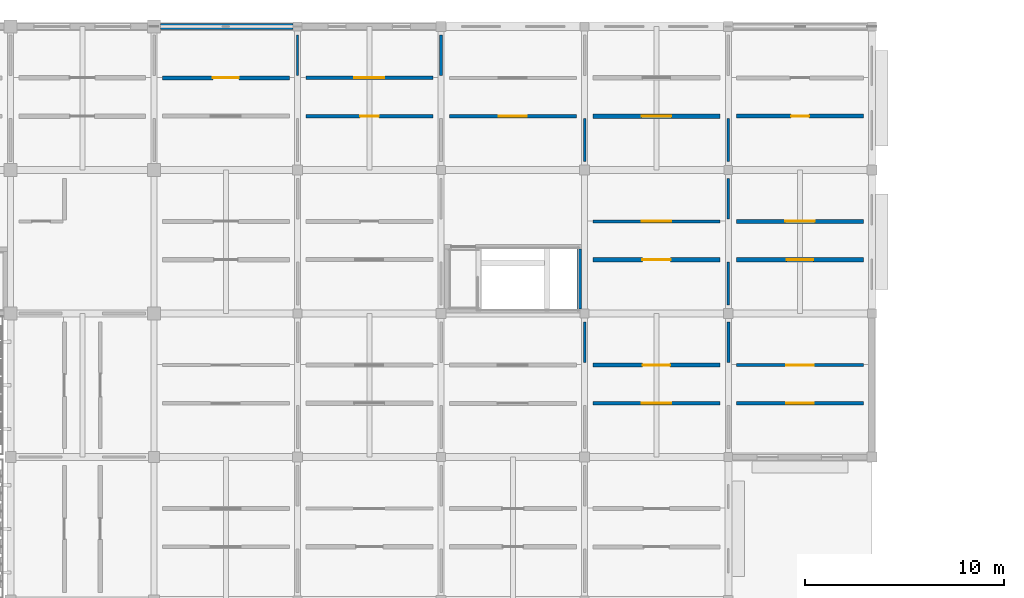
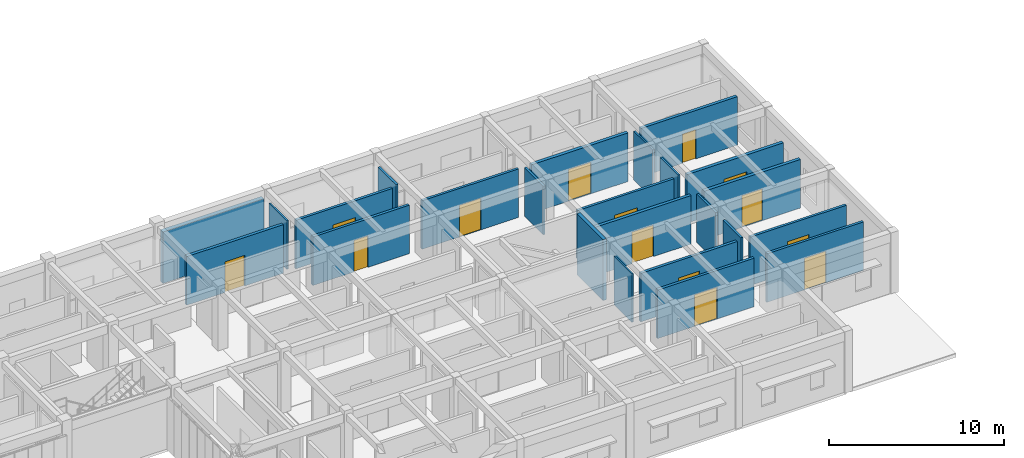
# One storey, part 76 of 91: 24 walls, 14 doors, 14 openings.
"""IFC4 building model written with IfcOpenShell, lengths in metres."""

from ifc_helpers import new_model, si_unit, direction, frame, frame_2d, origin, place, context, subcontext, project, spatial, rectangle, extrude, material, layer, layer_set, type_object, element, fill, save


model = new_model("IFC4")

# Units and contexts
model_context = context("Model", 3, precision=1e-05, world=origin(), true_north=direction((0.0, 1.0)))
body_context = subcontext(model_context, "Body", "Model", "MODEL_VIEW")
ifc_project = project(units=[si_unit("LENGTHUNIT", "METRE"), si_unit("AREAUNIT", "SQUARE_METRE"), si_unit("VOLUMEUNIT", "CUBIC_METRE"), si_unit("PLANEANGLEUNIT", "RADIAN"), si_unit("MASSUNIT", "GRAM", prefix="KILO")], contexts=[model_context])

# Site, building, storey
site_placement = place(None, origin())
site = spatial("IfcSite", under=ifc_project, at=site_placement, CompositionType="ELEMENT")
building_placement = place(site_placement, origin())
building = spatial("IfcBuilding", under=site, at=building_placement, Name="Aldebral Square Health Centre", CompositionType="ELEMENT")
storey_placement = place(building_placement, frame((0.0, 0.0, 9.0)))
storey = spatial("IfcBuildingStorey", under=building, at=storey_placement, Name="L02", CompositionType="ELEMENT", Elevation=9.0)

# Wall
ifc_material_1 = material(Name="Ochre mineral-rendered concrete C35/45 court wall", Category="concrete")
ifc_layer_1 = layer(ifc_material_1, 0.280029296875, Name="Ochre mineral-rendered concrete C35/45 court wall", Category="concrete")
ifc_layer_set_1 = layer_set([ifc_layer_1], Name="Ochre mineral-rendered concrete C35/45 court wall")
wall_type_1 = type_object("IfcWallType", Name="EW-OCH-280", PredefinedType="STANDARD", material=ifc_layer_set_1)
wall_1_placement = place(storey_placement, frame((35.77490234375, 115.199951171875, 0.0), z_axis=(0.0, 0.0, 1.0), x_axis=(-1.0, 0.0, 0.0)))
element("IfcWall", 1, at=wall_1_placement, inside=storey, type_object=wall_type_1, Name="L02 V2 exterior wall L02-V2-04-15-N", PredefinedType="STANDARD", context=body_context, shape_type="SweptSolid", body=[
    extrude(rectangle(XDim=6.64990234375, YDim=0.280029296875, at=frame_2d((3.324951171875, 0.0))), origin(), (0.0, 0.0, 1.0), 3.590087890625),
])

# Wall, opening, door
ifc_material_2 = material(Name="Concrete C35/45 compartment wall", Category="concrete")
ifc_layer_2 = layer(ifc_material_2, 0.199951171875, Name="Concrete C35/45 compartment wall", Category="concrete")
ifc_layer_set_2 = layer_set([ifc_layer_2], Name="Concrete C35/45 compartment wall")
wall_type_2 = type_object("IfcWallType", Name="IW-CMP-200", PredefinedType="SOLIDWALL", material=ifc_layer_set_2)
wall_2_placement = place(storey_placement, frame((29.219970703125, 112.6201171875, 0.0), z_axis=(0.0, 0.0, 1.0), x_axis=(1.0, 0.0, 0.0)))
wall_2 = element("IfcWall", 2, at=wall_2_placement, inside=storey, type_object=wall_type_2, Name="L02 Surgical HVAC Plant Room 5.16N corridor wall", PredefinedType="SOLIDWALL", context=body_context, shape_type="SweptSolid", body=[
    extrude(rectangle(XDim=6.360107421875, YDim=0.199951171875, at=frame_2d((3.18017578125, 0.0))), origin(), (0.0, 0.0, 1.0), 3.3798828125),
])
opening_1_placement = place(wall_2_placement, frame((2.530029296875, 0.0, 0.0)))
opening_1 = element("IfcOpeningElement", 3, at=opening_1_placement, cuts=wall_2, Name="Opening D-0402", PredefinedType="OPENING", context=body_context, shape_type="SweptSolid", body=[
    extrude(rectangle(XDim=1.300048828125, YDim=2.139892578125, at=frame_2d((0.64990234375, 1.06982421875))), frame((0.0, 0.10986328125, 0.0), z_axis=(0.0, -1.0, 0.0), x_axis=(1.0, 0.0, 0.0)), (0.0, 0.0, 1.0), 0.219970703125),
])
ifc_material_3 = material(Name="Clinical suite fire door")
door_type_1 = type_object("IfcDoorType", Name="ID-EXD-42", OperationType="NOTDEFINED", PredefinedType="DOOR", material=ifc_material_3)
door_1_placement = place(opening_1_placement, origin())
door_1 = element("IfcDoor", 4, at=door_1_placement, inside=storey, type_object=door_type_1, Name="L02 Surgical HVAC Plant Room 5.16N door", OperationType="SINGLE_SWING_LEFT", OverallHeight=2.139892578125, OverallWidth=1.300048828125, PredefinedType="DOOR", context=body_context, shape_type="SweptSolid", body=[
    extrude(rectangle(XDim=1.300048828125, YDim=2.139892578125, at=frame_2d((0.64990234375, 1.06982421875))), frame((0.0, 0.02490234375, 0.0), z_axis=(0.0, -1.0, 0.0), x_axis=(1.0, 0.0, 0.0)), (0.0, 0.0, 1.0), 0.050048828125),
])
fill(opening_1, door_1)

wall_3_placement = place(storey_placement, frame((58.02001953125, 110.699951171875, 0.0), z_axis=(0.0, 0.0, 1.0), x_axis=(1.0, 0.0, 0.0)))
wall_3 = element("IfcWall", 5, at=wall_3_placement, inside=storey, type_object=wall_type_2, Name="L02 Surgical HVAC Plant Room 9.16S corridor wall", PredefinedType="SOLIDWALL", context=body_context, shape_type="SweptSolid", body=[
    extrude(rectangle(XDim=6.35986328125, YDim=0.199951171875, at=frame_2d((3.179931640625, 0.0))), origin(), (0.0, 0.0, 1.0), 3.3798828125),
])
opening_2_placement = place(wall_3_placement, frame((2.72998046875, 0.0, 0.0)))
opening_2 = element("IfcOpeningElement", 6, at=opening_2_placement, cuts=wall_3, Name="Opening D-0429", PredefinedType="OPENING", context=body_context, shape_type="SweptSolid", body=[
    extrude(rectangle(XDim=0.89990234375, YDim=2.0400390625, at=frame_2d((0.449951171875, 1.02001953125))), frame((0.0, 0.10986328125, 0.0), z_axis=(0.0, -1.0, 0.0), x_axis=(1.0, 0.0, 0.0)), (0.0, 0.0, 1.0), 0.219970703125),
])
door_type_2 = type_object("IfcDoorType", Name="ID-EXD-00", OperationType="NOTDEFINED", PredefinedType="DOOR", material=ifc_material_3)
door_2_placement = place(opening_2_placement, origin())
door_2 = element("IfcDoor", 7, at=door_2_placement, inside=storey, type_object=door_type_2, Name="L02 Surgical HVAC Plant Room 9.16S door", OperationType="SINGLE_SWING_RIGHT", OverallHeight=2.0400390625, OverallWidth=0.89990234375, PredefinedType="DOOR", context=body_context, shape_type="SweptSolid", body=[
    extrude(rectangle(XDim=0.89990234375, YDim=2.0400390625, at=frame_2d((0.449951171875, 1.02001953125))), frame((0.0, 0.02490234375, 0.0), z_axis=(0.0, -1.0, 0.0), x_axis=(1.0, 0.0, 0.0)), (0.0, 0.0, 1.0), 0.050048828125),
])
fill(opening_2, door_2)

ifc_layer_3 = layer(ifc_material_2, 0.219970703125, Name="Concrete C35/45 compartment wall", Category="concrete")
ifc_layer_set_3 = layer_set([ifc_layer_3], Name="Concrete C35/45 compartment wall")
wall_type_3 = type_object("IfcWallType", Name="IW-CMP-220", PredefinedType="SOLIDWALL", material=ifc_layer_set_3)
wall_4_placement = place(storey_placement, frame((50.820068359375, 110.699951171875, 0.0), z_axis=(0.0, 0.0, 1.0), x_axis=(1.0, 0.0, 0.0)))
wall_4 = element("IfcWall", 8, at=wall_4_placement, inside=storey, type_object=wall_type_3, Name="L02 Ambulatory Procedure Room 8.16S corridor wall", PredefinedType="SOLIDWALL", context=body_context, shape_type="SweptSolid", body=[
    extrude(rectangle(XDim=6.35986328125, YDim=0.219970703125, at=frame_2d((3.179931640625, 0.0))), origin(), (0.0, 0.0, 1.0), 3.3798828125),
])
opening_3_placement = place(wall_4_placement, frame((2.429931640625, 0.0, 0.0)))
opening_3 = element("IfcOpeningElement", 9, at=opening_3_placement, cuts=wall_4, Name="Opening D-0423", PredefinedType="OPENING", context=body_context, shape_type="SweptSolid", body=[
    extrude(rectangle(XDim=1.5, YDim=2.199951171875, at=frame_2d((0.75, 1.10009765625))), frame((0.0, 0.1201171875, 0.0), z_axis=(0.0, -1.0, 0.0), x_axis=(1.0, 0.0, 0.0)), (0.0, 0.0, 1.0), 0.239990234375),
])
ifc_material_4 = material(Name="Surgical suite double-leaf fire door")
door_type_3 = type_object("IfcDoorType", Name="ID-OR-150", OperationType="NOTDEFINED", PredefinedType="DOOR", material=ifc_material_4)
door_3_placement = place(opening_3_placement, origin())
door_3 = element("IfcDoor", 10, at=door_3_placement, inside=storey, type_object=door_type_3, Name="L02 Ambulatory Procedure Room 8.16S door", OperationType="SINGLE_SWING_RIGHT", OverallHeight=2.199951171875, OverallWidth=1.5, PredefinedType="DOOR", context=body_context, shape_type="SweptSolid", body=[
    extrude(rectangle(XDim=1.5, YDim=2.199951171875, at=frame_2d((0.75, 1.10009765625))), frame((0.0, 0.02490234375, 0.0), z_axis=(0.0, -1.0, 0.0), x_axis=(1.0, 0.0, 0.0)), (0.0, 0.0, 1.0), 0.050048828125),
])
fill(opening_3, door_3)

wall_5_placement = place(storey_placement, frame((58.02001953125, 103.5, 0.0), z_axis=(0.0, 0.0, 1.0), x_axis=(1.0, 0.0, 0.0)))
wall_5 = element("IfcWall", 11, at=wall_5_placement, inside=storey, type_object=wall_type_3, Name="L02 Sterile Instrument Store 9.15S corridor wall", PredefinedType="SOLIDWALL", context=body_context, shape_type="SweptSolid", body=[
    extrude(rectangle(XDim=6.35986328125, YDim=0.219970703125, at=frame_2d((3.179931640625, 0.0))), origin(), (0.0, 0.0, 1.0), 3.3798828125),
])
opening_4_placement = place(wall_5_placement, frame((2.5048828125, 0.0, 0.0)))
opening_4 = element("IfcOpeningElement", 12, at=opening_4_placement, cuts=wall_5, Name="Opening D-0427", PredefinedType="OPENING", context=body_context, shape_type="SweptSolid", body=[
    extrude(rectangle(XDim=1.35009765625, YDim=2.199951171875, at=frame_2d((0.675048828125, 1.10009765625))), frame((0.0, 0.1201171875, 0.0), z_axis=(0.0, -1.0, 0.0), x_axis=(1.0, 0.0, 0.0)), (0.0, 0.0, 1.0), 0.239990234375),
])
ifc_material_5 = material(Name="Lead-lined imaging suite door")
door_type_4 = type_object("IfcDoorType", Name="ID-IM-135", OperationType="NOTDEFINED", PredefinedType="DOOR", material=ifc_material_5)
door_4_placement = place(opening_4_placement, origin())
door_4 = element("IfcDoor", 13, at=door_4_placement, inside=storey, type_object=door_type_4, Name="L02 Sterile Instrument Store 9.15S door", OperationType="SINGLE_SWING_RIGHT", OverallHeight=2.199951171875, OverallWidth=1.35009765625, PredefinedType="DOOR", context=body_context, shape_type="SweptSolid", body=[
    extrude(rectangle(XDim=1.35009765625, YDim=2.199951171875, at=frame_2d((0.675048828125, 1.10009765625))), frame((0.0, 0.02490234375, 0.0), z_axis=(0.0, -1.0, 0.0), x_axis=(1.0, 0.0, 0.0)), (0.0, 0.0, 1.0), 0.050048828125),
])
fill(opening_4, door_4)

wall_6_placement = place(storey_placement, frame((58.02001953125, 105.419921875, 0.0), z_axis=(0.0, 0.0, 1.0), x_axis=(1.0, 0.0, 0.0)))
wall_6 = element("IfcWall", 14, at=wall_6_placement, inside=storey, type_object=wall_type_3, Name="L02 Surgical Scrub and Gowning 9.15N corridor wall", PredefinedType="SOLIDWALL", context=body_context, shape_type="SweptSolid", body=[
    extrude(rectangle(XDim=6.35986328125, YDim=0.219970703125, at=frame_2d((3.179931640625, 0.0))), origin(), (0.0, 0.0, 1.0), 3.3798828125),
])
opening_5_placement = place(wall_6_placement, frame((2.429931640625, 0.0, 0.0)))
opening_5 = element("IfcOpeningElement", 15, at=opening_5_placement, cuts=wall_6, Name="Opening D-0428", PredefinedType="OPENING", context=body_context, shape_type="SweptSolid", body=[
    extrude(rectangle(XDim=1.5, YDim=2.199951171875, at=frame_2d((0.75, 1.10009765625))), frame((0.0, 0.1201171875, 0.0), z_axis=(0.0, -1.0, 0.0), x_axis=(1.0, 0.0, 0.0)), (0.0, 0.0, 1.0), 0.239990234375),
])
door_5_placement = place(opening_5_placement, origin())
door_5 = element("IfcDoor", 16, at=door_5_placement, inside=storey, type_object=door_type_3, Name="L02 Surgical Scrub and Gowning 9.15N door", OperationType="SINGLE_SWING_LEFT", OverallHeight=2.199951171875, OverallWidth=1.5, PredefinedType="DOOR", context=body_context, shape_type="SweptSolid", body=[
    extrude(rectangle(XDim=1.5, YDim=2.199951171875, at=frame_2d((0.75, 1.10009765625))), frame((0.0, 0.02490234375, 0.0), z_axis=(0.0, -1.0, 0.0), x_axis=(1.0, 0.0, 0.0)), (0.0, 0.0, 1.0), 0.050048828125),
])
fill(opening_5, door_5)

ifc_material_6 = material(Name="Fire-rated acoustic gypsum partition")
ifc_layer_4 = layer(ifc_material_6, 0.1650390625, Name="Fire-rated acoustic gypsum partition")
ifc_layer_set_4 = layer_set([ifc_layer_4], Name="Fire-rated acoustic gypsum partition")
wall_type_4 = type_object("IfcWallType", Name="IW-COR-165", PredefinedType="PARTITIONING", material=ifc_layer_set_4)
wall_7_placement = place(storey_placement, frame((43.6201171875, 110.699951171875, 0.0), z_axis=(0.0, 0.0, 1.0), x_axis=(1.0, 0.0, 0.0)))
wall_7 = element("IfcWall", 17, at=wall_7_placement, inside=storey, type_object=wall_type_4, Name="L02 Post-Anaesthesia Recovery Bay 7.16S corridor wall", PredefinedType="PARTITIONING", context=body_context, shape_type="SweptSolid", body=[
    extrude(rectangle(XDim=6.35986328125, YDim=0.1650390625, at=frame_2d((3.179931640625, 0.0))), origin(), (0.0, 0.0, 1.0), 3.3798828125),
])
opening_6_placement = place(wall_7_placement, frame((2.47998046875, 0.0, 0.0)))
opening_6 = element("IfcOpeningElement", 18, at=opening_6_placement, cuts=wall_7, Name="Opening D-0415", PredefinedType="OPENING", context=body_context, shape_type="SweptSolid", body=[
    extrude(rectangle(XDim=1.39990234375, YDim=2.199951171875, at=frame_2d((0.699951171875, 1.10009765625))), frame((0.0, 0.092529296875, 0.0), z_axis=(0.0, -1.0, 0.0), x_axis=(1.0, 0.0, 0.0)), (0.0, 0.0, 1.0), 0.18505859375),
])
ifc_material_7 = material(Name="Surgical recovery fire door")
door_type_5 = type_object("IfcDoorType", Name="ID-OR-140", OperationType="NOTDEFINED", PredefinedType="DOOR", material=ifc_material_7)
door_6_placement = place(opening_6_placement, origin())
door_6 = element("IfcDoor", 19, at=door_6_placement, inside=storey, type_object=door_type_5, Name="L02 Post-Anaesthesia Recovery Bay 7.16S door", OperationType="SINGLE_SWING_RIGHT", OverallHeight=2.199951171875, OverallWidth=1.39990234375, PredefinedType="DOOR", context=body_context, shape_type="SweptSolid", body=[
    extrude(rectangle(XDim=1.39990234375, YDim=2.199951171875, at=frame_2d((0.699951171875, 1.10009765625))), frame((0.0, 0.02490234375, 0.0), z_axis=(0.0, -1.0, 0.0), x_axis=(1.0, 0.0, 0.0)), (0.0, 0.0, 1.0), 0.050048828125),
])
fill(opening_6, door_6)

wall_8_placement = place(storey_placement, frame((50.820068359375, 105.419921875, 0.0), z_axis=(0.0, 0.0, 1.0), x_axis=(1.0, 0.0, 0.0)))
wall_8 = element("IfcWall", 20, at=wall_8_placement, inside=storey, type_object=wall_type_4, Name="L02 Day Surgery Operating Theatre 8.15N corridor wall", PredefinedType="PARTITIONING", context=body_context, shape_type="SweptSolid", body=[
    extrude(rectangle(XDim=6.35986328125, YDim=0.1650390625, at=frame_2d((3.179931640625, 0.0))), origin(), (0.0, 0.0, 1.0), 3.3798828125),
])
opening_7_placement = place(wall_8_placement, frame((2.429931640625, 0.0, 0.0)))
opening_7 = element("IfcOpeningElement", 21, at=opening_7_placement, cuts=wall_8, Name="Opening D-0422", PredefinedType="OPENING", context=body_context, shape_type="SweptSolid", body=[
    extrude(rectangle(XDim=1.5, YDim=2.199951171875, at=frame_2d((0.75, 1.10009765625))), frame((0.0, 0.092529296875, 0.0), z_axis=(0.0, -1.0, 0.0), x_axis=(1.0, 0.0, 0.0)), (0.0, 0.0, 1.0), 0.18505859375),
])
door_7_placement = place(opening_7_placement, origin())
door_7 = element("IfcDoor", 22, at=door_7_placement, inside=storey, type_object=door_type_3, Name="L02 Day Surgery Operating Theatre 8.15N door", OperationType="SINGLE_SWING_LEFT", OverallHeight=2.199951171875, OverallWidth=1.5, PredefinedType="DOOR", context=body_context, shape_type="SweptSolid", body=[
    extrude(rectangle(XDim=1.5, YDim=2.199951171875, at=frame_2d((0.75, 1.10009765625))), frame((0.0, 0.02490234375, 0.0), z_axis=(0.0, -1.0, 0.0), x_axis=(1.0, 0.0, 0.0)), (0.0, 0.0, 1.0), 0.050048828125),
])
fill(opening_7, door_7)

wall_9_placement = place(storey_placement, frame((58.02001953125, 96.300048828125, 0.0), z_axis=(0.0, 0.0, 1.0), x_axis=(1.0, 0.0, 0.0)))
wall_9 = element("IfcWall", 23, at=wall_9_placement, inside=storey, type_object=wall_type_4, Name="L02 Pre-Operative Preparation 9.14S corridor wall", PredefinedType="PARTITIONING", context=body_context, shape_type="SweptSolid", body=[
    extrude(rectangle(XDim=6.35986328125, YDim=0.1650390625, at=frame_2d((3.179931640625, 0.0))), origin(), (0.0, 0.0, 1.0), 3.3798828125),
])
opening_8_placement = place(wall_9_placement, frame((2.47998046875, 0.0, 0.0)))
opening_8 = element("IfcOpeningElement", 24, at=opening_8_placement, cuts=wall_9, Name="Opening D-0425", PredefinedType="OPENING", context=body_context, shape_type="SweptSolid", body=[
    extrude(rectangle(XDim=1.39990234375, YDim=2.199951171875, at=frame_2d((0.699951171875, 1.10009765625))), frame((0.0, 0.092529296875, 0.0), z_axis=(0.0, -1.0, 0.0), x_axis=(1.0, 0.0, 0.0)), (0.0, 0.0, 1.0), 0.18505859375),
])
door_8_placement = place(opening_8_placement, origin())
door_8 = element("IfcDoor", 25, at=door_8_placement, inside=storey, type_object=door_type_5, Name="L02 Pre-Operative Preparation 9.14S door", OperationType="SINGLE_SWING_RIGHT", OverallHeight=2.199951171875, OverallWidth=1.39990234375, PredefinedType="DOOR", context=body_context, shape_type="SweptSolid", body=[
    extrude(rectangle(XDim=1.39990234375, YDim=2.199951171875, at=frame_2d((0.699951171875, 1.10009765625))), frame((0.0, 0.02490234375, 0.0), z_axis=(0.0, -1.0, 0.0), x_axis=(1.0, 0.0, 0.0)), (0.0, 0.0, 1.0), 0.050048828125),
])
fill(opening_8, door_8)

wall_10_placement = place(storey_placement, frame((58.02001953125, 98.219970703125, 0.0), z_axis=(0.0, 0.0, 1.0), x_axis=(1.0, 0.0, 0.0)))
wall_10 = element("IfcWall", 26, at=wall_10_placement, inside=storey, type_object=wall_type_4, Name="L02 Central Sterile Supply 9.14N corridor wall", PredefinedType="PARTITIONING", context=body_context, shape_type="SweptSolid", body=[
    extrude(rectangle(XDim=6.35986328125, YDim=0.1650390625, at=frame_2d((3.179931640625, 0.0))), origin(), (0.0, 0.0, 1.0), 3.3798828125),
])
opening_9_placement = place(wall_10_placement, frame((2.47998046875, 0.0, 0.0)))
opening_9 = element("IfcOpeningElement", 27, at=opening_9_placement, cuts=wall_10, Name="Opening D-0426", PredefinedType="OPENING", context=body_context, shape_type="SweptSolid", body=[
    extrude(rectangle(XDim=1.39990234375, YDim=2.199951171875, at=frame_2d((0.699951171875, 1.10009765625))), frame((0.0, 0.092529296875, 0.0), z_axis=(0.0, -1.0, 0.0), x_axis=(1.0, 0.0, 0.0)), (0.0, 0.0, 1.0), 0.18505859375),
])
door_9_placement = place(opening_9_placement, origin())
door_9 = element("IfcDoor", 28, at=door_9_placement, inside=storey, type_object=door_type_5, Name="L02 Central Sterile Supply 9.14N door", OperationType="SINGLE_SWING_LEFT", OverallHeight=2.199951171875, OverallWidth=1.39990234375, PredefinedType="DOOR", context=body_context, shape_type="SweptSolid", body=[
    extrude(rectangle(XDim=1.39990234375, YDim=2.199951171875, at=frame_2d((0.699951171875, 1.10009765625))), frame((0.0, 0.02490234375, 0.0), z_axis=(0.0, -1.0, 0.0), x_axis=(1.0, 0.0, 0.0)), (0.0, 0.0, 1.0), 0.050048828125),
])
fill(opening_9, door_9)

ifc_layer_5 = layer(ifc_material_6, 0.179931640625, Name="Fire-rated acoustic gypsum partition")
ifc_layer_set_5 = layer_set([ifc_layer_5], Name="Fire-rated acoustic gypsum partition")
wall_type_5 = type_object("IfcWallType", Name="IW-COR-180", PredefinedType="PARTITIONING", material=ifc_layer_set_5)
wall_11_placement = place(storey_placement, frame((36.419921875, 110.699951171875, 0.0), z_axis=(0.0, 0.0, 1.0), x_axis=(1.0, 0.0, 0.0)))
wall_11 = element("IfcWall", 29, at=wall_11_placement, inside=storey, type_object=wall_type_5, Name="L02 Sterile Instrument Store 6.16S corridor wall", PredefinedType="PARTITIONING", context=body_context, shape_type="SweptSolid", body=[
    extrude(rectangle(XDim=6.360107421875, YDim=0.179931640625, at=frame_2d((3.18017578125, 0.0))), origin(), (0.0, 0.0, 1.0), 3.3798828125),
])
opening_10_placement = place(wall_11_placement, frame((2.7099609375, 0.0, 0.0)))
opening_10 = element("IfcOpeningElement", 30, at=opening_10_placement, cuts=wall_11, Name="Opening D-0409", PredefinedType="OPENING", context=body_context, shape_type="SweptSolid", body=[
    extrude(rectangle(XDim=0.93994140625, YDim=2.18994140625, at=frame_2d((0.469970703125, 1.094970703125))), frame((0.0, 0.10009765625, 0.0), z_axis=(0.0, -1.0, 0.0), x_axis=(1.0, 0.0, 0.0)), (0.0, 0.0, 1.0), 0.199951171875),
])
door_type_6 = type_object("IfcDoorType", Name="ID-EXD-49", OperationType="NOTDEFINED", PredefinedType="DOOR", material=ifc_material_3)
door_10_placement = place(opening_10_placement, origin())
door_10 = element("IfcDoor", 31, at=door_10_placement, inside=storey, type_object=door_type_6, Name="L02 Sterile Instrument Store 6.16S door", OperationType="SINGLE_SWING_RIGHT", OverallHeight=2.18994140625, OverallWidth=0.93994140625, PredefinedType="DOOR", context=body_context, shape_type="SweptSolid", body=[
    extrude(rectangle(XDim=0.93994140625, YDim=2.18994140625, at=frame_2d((0.469970703125, 1.094970703125))), frame((0.0, 0.02490234375, 0.0), z_axis=(0.0, -1.0, 0.0), x_axis=(1.0, 0.0, 0.0)), (0.0, 0.0, 1.0), 0.050048828125),
])
fill(opening_10, door_10)

wall_12_placement = place(storey_placement, frame((36.419921875, 112.6201171875, 0.0), z_axis=(0.0, 0.0, 1.0), x_axis=(1.0, 0.0, 0.0)))
wall_12 = element("IfcWall", 32, at=wall_12_placement, inside=storey, type_object=wall_type_5, Name="L02 Surgical Scrub and Gowning 6.16N corridor wall", PredefinedType="PARTITIONING", context=body_context, shape_type="SweptSolid", body=[
    extrude(rectangle(XDim=6.360107421875, YDim=0.179931640625, at=frame_2d((3.18017578125, 0.0))), origin(), (0.0, 0.0, 1.0), 3.3798828125),
])
opening_11_placement = place(wall_12_placement, frame((2.429931640625, 0.0, 0.0)))
opening_11 = element("IfcOpeningElement", 33, at=opening_11_placement, cuts=wall_12, Name="Opening D-0410", PredefinedType="OPENING", context=body_context, shape_type="SweptSolid", body=[
    extrude(rectangle(XDim=1.5, YDim=2.199951171875, at=frame_2d((0.75, 1.10009765625))), frame((0.0, 0.10009765625, 0.0), z_axis=(0.0, -1.0, 0.0), x_axis=(1.0, 0.0, 0.0)), (0.0, 0.0, 1.0), 0.199951171875),
])
door_11_placement = place(opening_11_placement, origin())
door_11 = element("IfcDoor", 34, at=door_11_placement, inside=storey, type_object=door_type_3, Name="L02 Surgical Scrub and Gowning 6.16N door", OperationType="SINGLE_SWING_LEFT", OverallHeight=2.199951171875, OverallWidth=1.5, PredefinedType="DOOR", context=body_context, shape_type="SweptSolid", body=[
    extrude(rectangle(XDim=1.5, YDim=2.199951171875, at=frame_2d((0.75, 1.10009765625))), frame((0.0, 0.02490234375, 0.0), z_axis=(0.0, -1.0, 0.0), x_axis=(1.0, 0.0, 0.0)), (0.0, 0.0, 1.0), 0.050048828125),
])
fill(opening_11, door_11)

wall_13_placement = place(storey_placement, frame((50.820068359375, 96.300048828125, 0.0), z_axis=(0.0, 0.0, 1.0), x_axis=(1.0, 0.0, 0.0)))
wall_13 = element("IfcWall", 35, at=wall_13_placement, inside=storey, type_object=wall_type_5, Name="L02 Surgical Scrub and Gowning 8.14S corridor wall", PredefinedType="PARTITIONING", context=body_context, shape_type="SweptSolid", body=[
    extrude(rectangle(XDim=6.35986328125, YDim=0.179931640625, at=frame_2d((3.179931640625, 0.0))), origin(), (0.0, 0.0, 1.0), 3.3798828125),
])
opening_12_placement = place(wall_13_placement, frame((2.429931640625, 0.0, 0.0)))
opening_12 = element("IfcOpeningElement", 36, at=opening_12_placement, cuts=wall_13, Name="Opening D-0419", PredefinedType="OPENING", context=body_context, shape_type="SweptSolid", body=[
    extrude(rectangle(XDim=1.5, YDim=2.199951171875, at=frame_2d((0.75, 1.10009765625))), frame((0.0, 0.10009765625, 0.0), z_axis=(0.0, -1.0, 0.0), x_axis=(1.0, 0.0, 0.0)), (0.0, 0.0, 1.0), 0.199951171875),
])
door_12_placement = place(opening_12_placement, origin())
door_12 = element("IfcDoor", 37, at=door_12_placement, inside=storey, type_object=door_type_3, Name="L02 Surgical Scrub and Gowning 8.14S door", OperationType="SINGLE_SWING_RIGHT", OverallHeight=2.199951171875, OverallWidth=1.5, PredefinedType="DOOR", context=body_context, shape_type="SweptSolid", body=[
    extrude(rectangle(XDim=1.5, YDim=2.199951171875, at=frame_2d((0.75, 1.10009765625))), frame((0.0, 0.02490234375, 0.0), z_axis=(0.0, -1.0, 0.0), x_axis=(1.0, 0.0, 0.0)), (0.0, 0.0, 1.0), 0.050048828125),
])
fill(opening_12, door_12)

wall_14_placement = place(storey_placement, frame((50.820068359375, 98.219970703125, 0.0), z_axis=(0.0, 0.0, 1.0), x_axis=(1.0, 0.0, 0.0)))
wall_14 = element("IfcWall", 38, at=wall_14_placement, inside=storey, type_object=wall_type_5, Name="L02 Surgical HVAC Plant Room 8.14N corridor wall", PredefinedType="PARTITIONING", context=body_context, shape_type="SweptSolid", body=[
    extrude(rectangle(XDim=6.35986328125, YDim=0.179931640625, at=frame_2d((3.179931640625, 0.0))), origin(), (0.0, 0.0, 1.0), 3.3798828125),
])
opening_13_placement = place(wall_14_placement, frame((2.489990234375, 0.0, 0.0)))
opening_13 = element("IfcOpeningElement", 39, at=opening_13_placement, cuts=wall_14, Name="Opening D-0420", PredefinedType="OPENING", context=body_context, shape_type="SweptSolid", body=[
    extrude(rectangle(XDim=1.3798828125, YDim=2.18994140625, at=frame_2d((0.68994140625, 1.094970703125))), frame((0.0, 0.10009765625, 0.0), z_axis=(0.0, -1.0, 0.0), x_axis=(1.0, 0.0, 0.0)), (0.0, 0.0, 1.0), 0.199951171875),
])
door_type_7 = type_object("IfcDoorType", Name="ID-EXD-60", OperationType="NOTDEFINED", PredefinedType="DOOR", material=ifc_material_3)
door_13_placement = place(opening_13_placement, origin())
door_13 = element("IfcDoor", 40, at=door_13_placement, inside=storey, type_object=door_type_7, Name="L02 Surgical HVAC Plant Room 8.14N door", OperationType="SINGLE_SWING_LEFT", OverallHeight=2.18994140625, OverallWidth=1.3798828125, PredefinedType="DOOR", context=body_context, shape_type="SweptSolid", body=[
    extrude(rectangle(XDim=1.3798828125, YDim=2.18994140625, at=frame_2d((0.68994140625, 1.094970703125))), frame((0.0, 0.02490234375, 0.0), z_axis=(0.0, -1.0, 0.0), x_axis=(1.0, 0.0, 0.0)), (0.0, 0.0, 1.0), 0.050048828125),
])
fill(opening_13, door_13)

# Wall
ifc_material_8 = material(Name="Concrete C40/50", Category="concrete")
ifc_layer_6 = layer(ifc_material_8, 0.219970703125, Name="Concrete C40/50", Category="concrete")
ifc_layer_set_6 = layer_set([ifc_layer_6], Name="Concrete C40/50")
wall_type_6 = type_object("IfcWallType", Name="IW-CORE-280", PredefinedType="SHEAR", material=ifc_layer_set_6)
wall_15_placement = place(storey_placement, frame((50.1298828125, 101.0400390625, 0.0), z_axis=(0.0, 0.0, 1.0), x_axis=(0.0, 1.0, 0.0)))
element("IfcWall", 41, at=wall_15_placement, inside=storey, type_object=wall_type_6, Name="L02 WS-S6 shaft wall E", PredefinedType="SHEAR", context=body_context, shape_type="SweptSolid", body=[
    extrude(rectangle(XDim=3.0, YDim=0.219970703125, at=frame_2d((1.5, 0.0))), origin(), (0.0, 0.0, 1.0), 4.239990234375),
])

# Wall, opening, door
ifc_material_9 = material(Name="Moisture-resistant sanitary chase wall")
ifc_layer_7 = layer(ifc_material_9, 0.2099609375, Name="Moisture-resistant sanitary chase wall")
ifc_layer_set_7 = layer_set([ifc_layer_7], Name="Moisture-resistant sanitary chase wall")
wall_type_7 = type_object("IfcWallType", Name="IW-PLB-210", PredefinedType="PLUMBINGWALL", material=ifc_layer_set_7)
wall_16_placement = place(storey_placement, frame((50.820068359375, 103.5, 0.0), z_axis=(0.0, 0.0, 1.0), x_axis=(1.0, 0.0, 0.0)))
wall_16 = element("IfcWall", 42, at=wall_16_placement, inside=storey, type_object=wall_type_7, Name="L02 Accessible WC 8.15S corridor wall", PredefinedType="PLUMBINGWALL", context=body_context, shape_type="SweptSolid", body=[
    extrude(rectangle(XDim=6.35986328125, YDim=0.2099609375, at=frame_2d((3.179931640625, 0.0))), origin(), (0.0, 0.0, 1.0), 3.3798828125),
])
opening_14_placement = place(wall_16_placement, frame((2.469970703125, 0.0, 0.0)))
opening_14 = element("IfcOpeningElement", 43, at=opening_14_placement, cuts=wall_16, Name="Opening D-0421", PredefinedType="OPENING", context=body_context, shape_type="SweptSolid", body=[
    extrude(rectangle(XDim=1.419921875, YDim=2.18994140625, at=frame_2d((0.7099609375, 1.094970703125))), frame((0.0, 0.114990234375, 0.0), z_axis=(0.0, -1.0, 0.0), x_axis=(1.0, 0.0, 0.0)), (0.0, 0.0, 1.0), 0.22998046875),
])
door_type_8 = type_object("IfcDoorType", Name="ID-EXD-61", OperationType="NOTDEFINED", PredefinedType="DOOR", material=ifc_material_3)
door_14_placement = place(opening_14_placement, origin())
door_14 = element("IfcDoor", 44, at=door_14_placement, inside=storey, type_object=door_type_8, Name="L02 Accessible WC 8.15S door", OperationType="SINGLE_SWING_RIGHT", OverallHeight=2.18994140625, OverallWidth=1.419921875, PredefinedType="DOOR", context=body_context, shape_type="SweptSolid", body=[
    extrude(rectangle(XDim=1.419921875, YDim=2.18994140625, at=frame_2d((0.7099609375, 1.094970703125))), frame((0.0, 0.02490234375, 0.0), z_axis=(0.0, -1.0, 0.0), x_axis=(1.0, 0.0, 0.0)), (0.0, 0.0, 1.0), 0.050048828125),
])
fill(opening_14, door_14)

# Walls
ifc_material_10 = material(Name="Lightweight clinical partition")
ifc_layer_8 = layer(ifc_material_10, 0.10498046875, Name="Lightweight clinical partition")
ifc_layer_set_8 = layer_set([ifc_layer_8], Name="Lightweight clinical partition")
wall_type_8 = type_object("IfcWallType", Name="IW-PRT-105", PredefinedType="PARTITIONING", material=ifc_layer_set_8)
wall_17_placement = place(storey_placement, frame((36.0, 112.739990234375, 0.0), z_axis=(0.0, 0.0, 1.0), x_axis=(0.0, 1.0, 0.0)))
element("IfcWall", 45, at=wall_17_placement, inside=storey, type_object=wall_type_8, Name="L02 Surgical HVAC Plant Room 5.16N demising partition", PredefinedType="PARTITIONING", context=body_context, shape_type="SweptSolid", body=[
    extrude(rectangle(XDim=2.0400390625, YDim=0.10498046875, at=frame_2d((1.02001953125, 0.0))), origin(), (0.0, 0.0, 1.0), 3.3798828125),
])
wall_18_placement = place(storey_placement, frame((50.39990234375, 98.340087890625, 0.0), z_axis=(0.0, 0.0, 1.0), x_axis=(0.0, 1.0, 0.0)))
element("IfcWall", 46, at=wall_18_placement, inside=storey, type_object=wall_type_8, Name="L02 Ambulatory Procedure Room 7.14N demising partition", PredefinedType="PARTITIONING", context=body_context, shape_type="SweptSolid", body=[
    extrude(rectangle(XDim=2.039794921875, YDim=0.10498046875, at=frame_2d((1.02001953125, 0.0))), origin(), (0.0, 0.0, 1.0), 3.3798828125),
])
ifc_material_11 = material(Name="Acoustic clinical gypsum partition")
ifc_layer_9 = layer(ifc_material_11, 0.1201171875, Name="Acoustic clinical gypsum partition")
ifc_layer_set_9 = layer_set([ifc_layer_9], Name="Acoustic clinical gypsum partition")
wall_type_9 = type_object("IfcWallType", Name="IW-PRT-120", PredefinedType="PARTITIONING", material=ifc_layer_set_9)
wall_19_placement = place(storey_placement, frame((57.60009765625, 108.419921875, 0.0), z_axis=(0.0, 0.0, 1.0), x_axis=(0.0, 1.0, 0.0)))
element("IfcWall", 47, at=wall_19_placement, inside=storey, type_object=wall_type_9, Name="L02 Ambulatory Procedure Room 8.16S demising partition", PredefinedType="PARTITIONING", context=body_context, shape_type="SweptSolid", body=[
    extrude(rectangle(XDim=2.16015625, YDim=0.1201171875, at=frame_2d((1.080078125, 0.0))), origin(), (0.0, 0.0, 1.0), 3.3798828125),
])
ifc_layer_10 = layer(ifc_material_11, 0.135009765625, Name="Acoustic clinical gypsum partition")
ifc_layer_set_10 = layer_set([ifc_layer_10], Name="Acoustic clinical gypsum partition")
wall_type_10 = type_object("IfcWallType", Name="IW-PRT-135", PredefinedType="PARTITIONING", material=ifc_layer_set_10)
wall_20_placement = place(storey_placement, frame((50.39990234375, 108.419921875, 0.0), z_axis=(0.0, 0.0, 1.0), x_axis=(0.0, 1.0, 0.0)))
element("IfcWall", 48, at=wall_20_placement, inside=storey, type_object=wall_type_10, Name="L02 Post-Anaesthesia Recovery Bay 7.16S demising partition", PredefinedType="PARTITIONING", context=body_context, shape_type="SweptSolid", body=[
    extrude(rectangle(XDim=2.16015625, YDim=0.135009765625, at=frame_2d((1.080078125, 0.0))), origin(), (0.0, 0.0, 1.0), 3.3798828125),
])
wall_21_placement = place(storey_placement, frame((57.60009765625, 101.219970703125, 0.0), z_axis=(0.0, 0.0, 1.0), x_axis=(0.0, 1.0, 0.0)))
element("IfcWall", 49, at=wall_21_placement, inside=storey, type_object=wall_type_10, Name="L02 Accessible WC 8.15S demising partition", PredefinedType="PARTITIONING", context=body_context, shape_type="SweptSolid", body=[
    extrude(rectangle(XDim=2.159912109375, YDim=0.135009765625, at=frame_2d((1.080078125, 0.0))), origin(), (0.0, 0.0, 1.0), 3.3798828125),
])
wall_22_placement = place(storey_placement, frame((57.60009765625, 105.5400390625, 0.0), z_axis=(0.0, 0.0, 1.0), x_axis=(0.0, 1.0, 0.0)))
element("IfcWall", 50, at=wall_22_placement, inside=storey, type_object=wall_type_10, Name="L02 Day Surgery Operating Theatre 8.15N demising partition", PredefinedType="PARTITIONING", context=body_context, shape_type="SweptSolid", body=[
    extrude(rectangle(XDim=2.0400390625, YDim=0.135009765625, at=frame_2d((1.02001953125, 0.0))), origin(), (0.0, 0.0, 1.0), 3.3798828125),
])
ifc_layer_11 = layer(ifc_material_11, 0.14990234375, Name="Acoustic clinical gypsum partition")
ifc_layer_set_11 = layer_set([ifc_layer_11], Name="Acoustic clinical gypsum partition")
wall_type_11 = type_object("IfcWallType", Name="IW-PRT-150", PredefinedType="PARTITIONING", material=ifc_layer_set_11)
wall_23_placement = place(storey_placement, frame((43.199951171875, 112.739990234375, 0.0), z_axis=(0.0, 0.0, 1.0), x_axis=(0.0, 1.0, 0.0)))
element("IfcWall", 51, at=wall_23_placement, inside=storey, type_object=wall_type_11, Name="L02 Surgical Scrub and Gowning 6.16N demising partition", PredefinedType="PARTITIONING", context=body_context, shape_type="SweptSolid", body=[
    extrude(rectangle(XDim=2.0400390625, YDim=0.14990234375, at=frame_2d((1.02001953125, 0.0))), origin(), (0.0, 0.0, 1.0), 3.3798828125),
])
wall_24_placement = place(storey_placement, frame((57.60009765625, 98.340087890625, 0.0), z_axis=(0.0, 0.0, 1.0), x_axis=(0.0, 1.0, 0.0)))
element("IfcWall", 52, at=wall_24_placement, inside=storey, type_object=wall_type_11, Name="L02 Surgical HVAC Plant Room 8.14N demising partition", PredefinedType="PARTITIONING", context=body_context, shape_type="SweptSolid", body=[
    extrude(rectangle(XDim=2.039794921875, YDim=0.14990234375, at=frame_2d((1.02001953125, 0.0))), origin(), (0.0, 0.0, 1.0), 3.3798828125),
])

save(model, "model.ifc")
